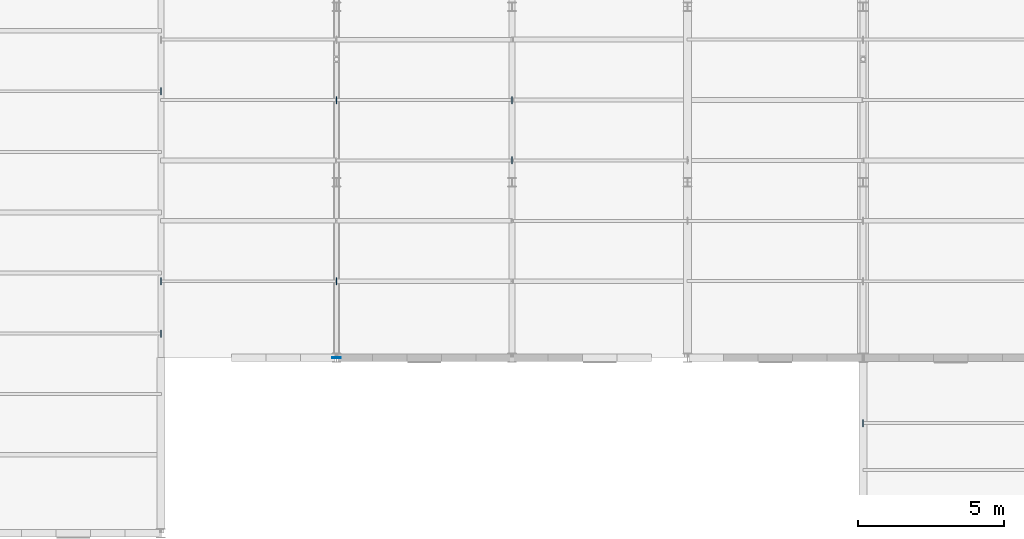
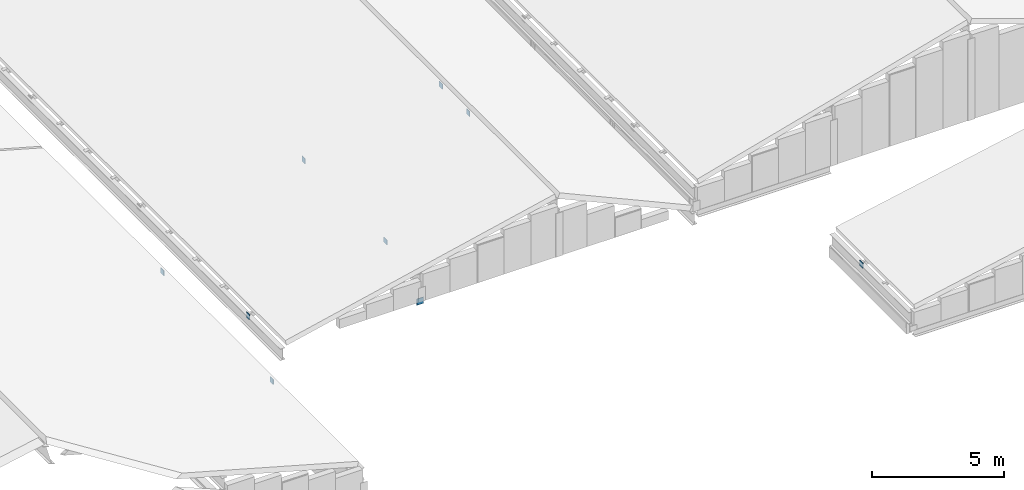
# One storey, part 49 of 74: 9 plates.
"""IFC4 building model written with IfcOpenShell, lengths in metres."""

from ifc_helpers import new_model, si_unit, direction, frame, origin, origin_2d, place, context, subcontext, project, spatial, rectangle, extrude, material, layer, layer_set, type_object, element, save


model = new_model("IFC4")

# Units and contexts
model_context = context("Model", 3, precision=1e-05, world=origin(), true_north=direction((0.0, 1.0)))
body_context = subcontext(model_context, "Body", "Model", "MODEL_VIEW")
ifc_project = project(units=[si_unit("LENGTHUNIT", "METRE"), si_unit("AREAUNIT", "SQUARE_METRE"), si_unit("VOLUMEUNIT", "CUBIC_METRE"), si_unit("PLANEANGLEUNIT", "RADIAN"), si_unit("MASSUNIT", "GRAM", prefix="KILO")], contexts=[model_context])

# Site, building, storey
site_placement = place(None, origin())
site = spatial("IfcSite", under=ifc_project, at=site_placement, CompositionType="ELEMENT")
building_placement = place(site_placement, origin())
building = spatial("IfcBuilding", under=site, at=building_placement, Name="Siltcreek Boulevard Central Fire Station", CompositionType="ELEMENT")
storey_placement = place(building_placement, frame((0.0, 0.0, 25.199951171875)))
storey = spatial("IfcBuildingStorey", under=building, at=storey_placement, Name="RF", CompositionType="ELEMENT", Elevation=25.199951171875)

# Plates
ifc_material = material(Name="Structural steel ASTM A572 Gr50", Category="steel")
ifc_layer = layer(ifc_material, 0.02490234375, Name="Structural steel ASTM A572 Gr50")
ifc_layer_set = layer_set([ifc_layer], Name="Structural steel ASTM A572 Gr50")
plate_type = type_object("IfcPlateType", Name="PL_CAP25", PredefinedType="USERDEFINED", material=ifc_layer_set)
for number, where, z_axis, x_axis, name in (
    (1, (66.0, 24.82275390625, -13.447265625), (0.0, 0.0, 1.0), (1.0, 0.0, 0.0), "Sloped roof purlin PR-0055 sealed end cap 2"),
    (2, (66.0, 33.1064453125, -13.447265625), (0.0, 0.0, 1.0), (1.0, 0.0, 0.0), "Sloped roof purlin PR-0059 sealed end cap 2"),
):
    element("IfcPlate", number, at=place(storey_placement, frame(where, z_axis=z_axis, x_axis=x_axis)), inside=storey, type_object=plate_type, Name=name, ObjectType="END CAP", PredefinedType="USERDEFINED", context=body_context, shape_type="SweptSolid", body=[
        extrude(rectangle(XDim=0.02490234375, YDim=0.239990234375, at=origin_2d()), origin(), (0.0, 0.0, 1.0), 0.239990234375),
    ])
plate_placement = place(storey_placement, frame((72.0, 23.99951171875, -11.406494140625), z_axis=(0.0, 0.0, 1.0), x_axis=(0.0, 1.0, 0.0)))
element("IfcPlate", 3, at=plate_placement, inside=storey, type_object=plate_type, Name="Roof truss bottom chord CH-002 sealed end cap 1", ObjectType="END CAP", PredefinedType="USERDEFINED", context=body_context, shape_type="SweptSolid", body=[
    extrude(rectangle(XDim=0.02490234375, YDim=0.2900390625, at=origin_2d()), origin(), (0.0, 0.0, 1.0), 0.2900390625),
])
for number, where, z_axis, x_axis, name in (
    (4, (65.999755859375, 26.6142578125, -11.54296875), (0.0, 0.0, 1.0), (1.0, 0.0, 0.0), "Sloped roof purlin PR-0075 sealed end cap 1"),
    (5, (72.000244140625, 26.6142578125, -10.19287109375), (0.0, 0.0, 1.0), (1.0, 0.0, 0.0), "Sloped roof purlin PR-0075 sealed end cap 2"),
    (6, (71.999755859375, 32.80712890625, -10.19287109375), (0.0, 0.0, 1.0), (1.0, 0.0, 0.0), "Sloped roof purlin PR-0091 sealed end cap 1"),
    (7, (78.000244140625, 32.80712890625, -8.8427734375), (0.0, 0.0, 1.0), (1.0, 0.0, 0.0), "Sloped roof purlin PR-0091 sealed end cap 2"),
    (8, (78.00048828125, 30.742919921875, -8.8681640625), (0.0, 0.0, 1.0), (1.0, 0.0, 0.0), "Sloped roof purlin PR-0103 sealed end cap 1"),
    (9, (89.999755859375, 21.76318359375, -14.62060546875), (0.0, 0.0, 1.0), (1.0, 0.0, 0.0), "Sloped roof purlin PR-0167 sealed end cap 1"),
):
    element("IfcPlate", number, at=place(storey_placement, frame(where, z_axis=z_axis, x_axis=x_axis)), inside=storey, type_object=plate_type, Name=name, ObjectType="END CAP", PredefinedType="USERDEFINED", context=body_context, shape_type="SweptSolid", body=[
        extrude(rectangle(XDim=0.02490234375, YDim=0.239990234375, at=origin_2d()), origin(), (0.0, 0.0, 1.0), 0.239990234375),
    ])

save(model, "model.ifc")
